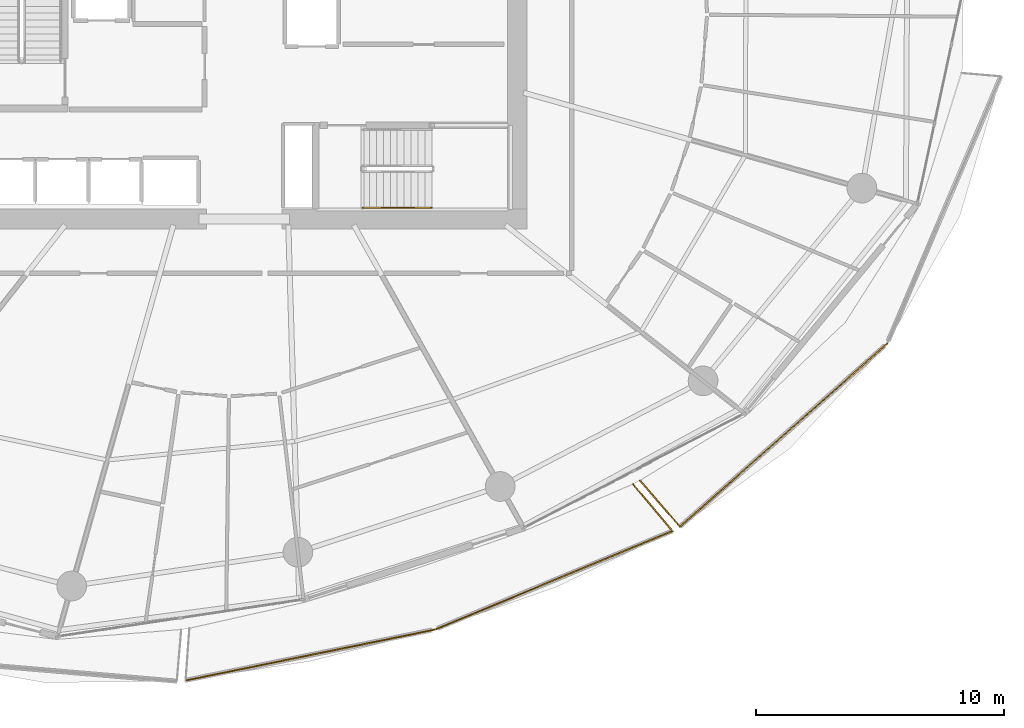
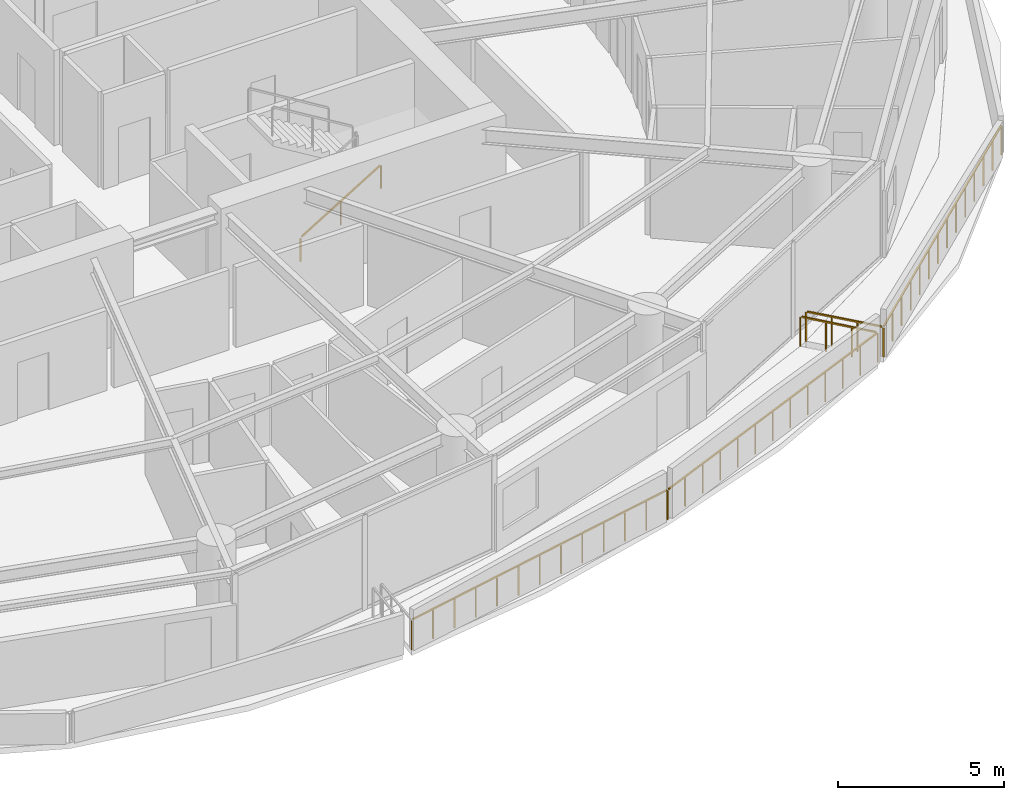
# One storey, part 19 of 23: 6 railings.
"""IFC4 building model written with IfcOpenShell, lengths in metres."""

from ifc_helpers import new_model, si_unit, direction, frame, origin, origin_2d, place, context, subcontext, project, spatial, rectangle, extrude, material, type_object, element, save


model = new_model("IFC4")

# Units and contexts
model_context = context("Model", 3, precision=1e-05, world=origin(), true_north=direction((0.0, 1.0)))
body_context = subcontext(model_context, "Body", "Model", "MODEL_VIEW")
ifc_project = project(units=[si_unit("LENGTHUNIT", "METRE"), si_unit("AREAUNIT", "SQUARE_METRE"), si_unit("VOLUMEUNIT", "CUBIC_METRE"), si_unit("PLANEANGLEUNIT", "RADIAN"), si_unit("MASSUNIT", "GRAM", prefix="KILO")], contexts=[model_context])

# Site, building, storey
site_placement = place(None, origin())
site = spatial("IfcSite", under=ifc_project, at=site_placement, CompositionType="ELEMENT")
building_placement = place(site_placement, origin())
building = spatial("IfcBuilding", under=site, at=building_placement, Name="Kazma Halo Residences", CompositionType="ELEMENT")
storey_placement = place(building_placement, frame((0.0, 0.0, 101.39990234375)))
storey = spatial("IfcBuildingStorey", under=building, at=storey_placement, Name="L25", CompositionType="ELEMENT", Elevation=101.39990234375)

# Railings
ifc_material_1 = material(Name="Aluminium AW-6063 T6 Brushed Cap Rail", Category="aluminium")
railing_type_1 = type_object("IfcRailingType", Name="RLG-BAL-CAP-1120", PredefinedType="BALUSTRADE", material=ifc_material_1)
railing_1_placement = place(storey_placement, frame((46.036865234375, 14.945068359375, 0.0)))
element("IfcRailing", 1, at=railing_1_placement, inside=storey, type_object=railing_type_1, Name="L25 SSE wave balcony guard 2", PredefinedType="BALUSTRADE", context=body_context, shape_type="SweptSolid", body=[
    extrude(rectangle(XDim=0.050048828125, YDim=0.050048828125, at=origin_2d()), frame((0.041748046875, 0.008544921875, 1.09521484375), z_axis=(0.979795712081, 0.200000906465, 0.0), x_axis=(-0.200000906465, 0.979795712081, 0.0)), (0.0, 0.0, 1.0), 10.207763671875),
    extrude(rectangle(XDim=0.0400390625, YDim=0.0400390625, at=origin_2d()), origin(), (0.0, 0.0, 1.0), 1.05810546875),
    extrude(rectangle(XDim=0.0400390625, YDim=0.0400390625, at=origin_2d()), frame((0.84033203125, 0.171630859375, 0.0)), (0.0, 0.0, 1.0), 1.05810546875),
    extrude(rectangle(XDim=0.0400390625, YDim=0.0400390625, at=origin_2d()), frame((1.680908203125, 0.343017578125, 0.0)), (0.0, 0.0, 1.0), 1.05810546875),
    extrude(rectangle(XDim=0.0400390625, YDim=0.0400390625, at=origin_2d()), frame((2.521240234375, 0.5146484375, 0.0)), (0.0, 0.0, 1.0), 1.05810546875),
    extrude(rectangle(XDim=0.0400390625, YDim=0.0400390625, at=origin_2d()), frame((3.361572265625, 0.686279296875, 0.0)), (0.0, 0.0, 1.0), 1.05810546875),
    extrude(rectangle(XDim=0.0400390625, YDim=0.0400390625, at=origin_2d()), frame((4.2021484375, 0.857666015625, 0.0)), (0.0, 0.0, 1.0), 1.05810546875),
    extrude(rectangle(XDim=0.0400390625, YDim=0.0400390625, at=origin_2d()), frame((5.04248046875, 1.029296875, 0.0)), (0.0, 0.0, 1.0), 1.05810546875),
    extrude(rectangle(XDim=0.0400390625, YDim=0.0400390625, at=origin_2d()), frame((5.8828125, 1.200927734375, 0.0)), (0.0, 0.0, 1.0), 1.05810546875),
    extrude(rectangle(XDim=0.0400390625, YDim=0.0400390625, at=origin_2d()), frame((6.723388671875, 1.372314453125, 0.0)), (0.0, 0.0, 1.0), 1.05810546875),
    extrude(rectangle(XDim=0.0400390625, YDim=0.0400390625, at=origin_2d()), frame((7.563720703125, 1.5439453125, 0.0)), (0.0, 0.0, 1.0), 1.05810546875),
    extrude(rectangle(XDim=0.0400390625, YDim=0.0400390625, at=origin_2d()), frame((8.404052734375, 1.715576171875, 0.0)), (0.0, 0.0, 1.0), 1.05810546875),
    extrude(rectangle(XDim=0.0400390625, YDim=0.0400390625, at=origin_2d()), frame((9.24462890625, 1.886962890625, 0.0)), (0.0, 0.0, 1.0), 1.05810546875),
    extrude(rectangle(XDim=0.0400390625, YDim=0.0400390625, at=origin_2d()), frame((10.0849609375, 2.05859375, 0.0)), (0.0, 0.0, 1.0), 1.05810546875),
])
railing_2_placement = place(storey_placement, frame((56.121826171875, 17.003662109375, 0.0)))
element("IfcRailing", 2, at=railing_2_placement, inside=storey, type_object=railing_type_1, Name="L25 SSE wave balcony guard 3", PredefinedType="BALUSTRADE", context=body_context, shape_type="SweptSolid", body=[
    extrude(rectangle(XDim=0.050048828125, YDim=0.050048828125, at=origin_2d()), frame((0.039306640625, 0.016357421875, 1.09521484375), z_axis=(0.923699555825, 0.38311764586, 0.0), x_axis=(-0.38311764586, 0.923699555825, 0.0)), (0.0, 0.0, 1.0), 10.312255859375),
    extrude(rectangle(XDim=0.0400390625, YDim=0.0400390625, at=origin_2d()), origin(), (0.0, 0.0, 1.0), 1.05810546875),
    extrude(rectangle(XDim=0.0400390625, YDim=0.0400390625, at=origin_2d()), frame((0.80029296875, 0.33203125, 0.0)), (0.0, 0.0, 1.0), 1.05810546875),
    extrude(rectangle(XDim=0.0400390625, YDim=0.0400390625, at=origin_2d()), frame((1.6005859375, 0.663818359375, 0.0)), (0.0, 0.0, 1.0), 1.05810546875),
    extrude(rectangle(XDim=0.0400390625, YDim=0.0400390625, at=origin_2d()), frame((2.40087890625, 0.995849609375, 0.0)), (0.0, 0.0, 1.0), 1.05810546875),
    extrude(rectangle(XDim=0.0400390625, YDim=0.0400390625, at=origin_2d()), frame((3.201416015625, 1.327880859375, 0.0)), (0.0, 0.0, 1.0), 1.05810546875),
    extrude(rectangle(XDim=0.0400390625, YDim=0.0400390625, at=origin_2d()), frame((4.001708984375, 1.65966796875, 0.0)), (0.0, 0.0, 1.0), 1.05810546875),
    extrude(rectangle(XDim=0.0400390625, YDim=0.0400390625, at=origin_2d()), frame((4.802001953125, 1.99169921875, 0.0)), (0.0, 0.0, 1.0), 1.05810546875),
    extrude(rectangle(XDim=0.0400390625, YDim=0.0400390625, at=origin_2d()), frame((5.602294921875, 2.32373046875, 0.0)), (0.0, 0.0, 1.0), 1.05810546875),
    extrude(rectangle(XDim=0.0400390625, YDim=0.0400390625, at=origin_2d()), frame((6.402587890625, 2.655517578125, 0.0)), (0.0, 0.0, 1.0), 1.05810546875),
    extrude(rectangle(XDim=0.0400390625, YDim=0.0400390625, at=origin_2d()), frame((7.203125, 2.987548828125, 0.0)), (0.0, 0.0, 1.0), 1.05810546875),
    extrude(rectangle(XDim=0.0400390625, YDim=0.0400390625, at=origin_2d()), frame((8.00341796875, 3.319580078125, 0.0)), (0.0, 0.0, 1.0), 1.05810546875),
    extrude(rectangle(XDim=0.0400390625, YDim=0.0400390625, at=origin_2d()), frame((8.8037109375, 3.6513671875, 0.0)), (0.0, 0.0, 1.0), 1.05810546875),
    extrude(rectangle(XDim=0.0400390625, YDim=0.0400390625, at=origin_2d()), frame((9.60400390625, 3.9833984375, 0.0)), (0.0, 0.0, 1.0), 1.05810546875),
])
railing_3_placement = place(storey_placement, frame((65.725830078125, 20.987060546875, 0.0)))
element("IfcRailing", 3, at=railing_3_placement, inside=storey, type_object=railing_type_1, Name="L25 SSE wave balcony guard 4", PredefinedType="BALUSTRADE", context=body_context, shape_type="SweptSolid", body=[
    extrude(rectangle(XDim=0.050048828125, YDim=0.050048828125, at=origin_2d()), frame((-0.02734375, 0.032470703125, 1.09521484375), z_axis=(-0.644754098317, 0.764390052724, 0.0), x_axis=(-0.764390052724, -0.644754098317, 0.0)), (0.0, 0.0, 1.0), 2.394287109375),
    extrude(rectangle(XDim=0.0400390625, YDim=0.0400390625, at=origin_2d()), origin(), (0.0, 0.0, 1.0), 1.05810546875),
    extrude(rectangle(XDim=0.0400390625, YDim=0.0400390625, at=origin_2d()), frame((-0.532958984375, 0.6318359375, 0.0)), (0.0, 0.0, 1.0), 1.05810546875),
    extrude(rectangle(XDim=0.0400390625, YDim=0.0400390625, at=origin_2d()), frame((-1.065673828125, 1.263427734375, 0.0)), (0.0, 0.0, 1.0), 1.05810546875),
    extrude(rectangle(XDim=0.0400390625, YDim=0.0400390625, at=origin_2d()), frame((-1.5986328125, 1.895263671875, 0.0)), (0.0, 0.0, 1.0), 1.05810546875),
])
railing_4_placement = place(storey_placement, frame((64.40576171875, 23.027099609375, 0.0)))
element("IfcRailing", 4, at=railing_4_placement, inside=storey, type_object=railing_type_1, Name="L25 SE wave balcony guard 1", PredefinedType="BALUSTRADE", context=body_context, shape_type="SweptSolid", body=[
    extrude(rectangle(XDim=0.050048828125, YDim=0.050048828125, at=origin_2d()), frame((0.02783203125, -0.0322265625, 1.09521484375), z_axis=(0.654064839796, -0.756438487481, 0.0), x_axis=(0.756438487481, 0.654064839796, 0.0)), (0.0, 0.0, 1.0), 2.385498046875),
    extrude(rectangle(XDim=0.0400390625, YDim=0.0400390625, at=origin_2d()), origin(), (0.0, 0.0, 1.0), 1.05810546875),
    extrude(rectangle(XDim=0.0400390625, YDim=0.0400390625, at=origin_2d()), frame((0.53857421875, -0.623046875, 0.0)), (0.0, 0.0, 1.0), 1.05810546875),
    extrude(rectangle(XDim=0.0400390625, YDim=0.0400390625, at=origin_2d()), frame((1.077392578125, -1.245849609375, 0.0)), (0.0, 0.0, 1.0), 1.05810546875),
    extrude(rectangle(XDim=0.0400390625, YDim=0.0400390625, at=origin_2d()), frame((1.615966796875, -1.868896484375, 0.0)), (0.0, 0.0, 1.0), 1.05810546875),
])
railing_5_placement = place(storey_placement, frame((66.021728515625, 21.158203125, 0.0)))
element("IfcRailing", 5, at=railing_5_placement, inside=storey, type_object=railing_type_1, Name="L25 SE wave balcony guard 2", PredefinedType="BALUSTRADE", context=body_context, shape_type="SweptSolid", body=[
    extrude(rectangle(XDim=0.050048828125, YDim=0.050048828125, at=origin_2d()), frame((0.031982421875, 0.028076171875, 1.09521484375), z_axis=(0.749632430677, 0.661854378906, 0.0), x_axis=(-0.661854378906, 0.749632430677, 0.0)), (0.0, 0.0, 1.0), 11.084716796875),
    extrude(rectangle(XDim=0.0400390625, YDim=0.0400390625, at=origin_2d()), origin(), (0.0, 0.0, 1.0), 1.05810546875),
    extrude(rectangle(XDim=0.0400390625, YDim=0.0400390625, at=origin_2d()), frame((0.64404296875, 0.568603515625, 0.0)), (0.0, 0.0, 1.0), 1.05810546875),
    extrude(rectangle(XDim=0.0400390625, YDim=0.0400390625, at=origin_2d()), frame((1.2880859375, 1.137451171875, 0.0)), (0.0, 0.0, 1.0), 1.05810546875),
    extrude(rectangle(XDim=0.0400390625, YDim=0.0400390625, at=origin_2d()), frame((1.932373046875, 1.7060546875, 0.0)), (0.0, 0.0, 1.0), 1.05810546875),
    extrude(rectangle(XDim=0.0400390625, YDim=0.0400390625, at=origin_2d()), frame((2.576416015625, 2.274658203125, 0.0)), (0.0, 0.0, 1.0), 1.05810546875),
    extrude(rectangle(XDim=0.0400390625, YDim=0.0400390625, at=origin_2d()), frame((3.220458984375, 2.843505859375, 0.0)), (0.0, 0.0, 1.0), 1.05810546875),
    extrude(rectangle(XDim=0.0400390625, YDim=0.0400390625, at=origin_2d()), frame((3.864501953125, 3.412109375, 0.0)), (0.0, 0.0, 1.0), 1.05810546875),
    extrude(rectangle(XDim=0.0400390625, YDim=0.0400390625, at=origin_2d()), frame((4.5087890625, 3.980712890625, 0.0)), (0.0, 0.0, 1.0), 1.05810546875),
    extrude(rectangle(XDim=0.0400390625, YDim=0.0400390625, at=origin_2d()), frame((5.15283203125, 4.54931640625, 0.0)), (0.0, 0.0, 1.0), 1.05810546875),
    extrude(rectangle(XDim=0.0400390625, YDim=0.0400390625, at=origin_2d()), frame((5.796875, 5.1181640625, 0.0)), (0.0, 0.0, 1.0), 1.05810546875),
    extrude(rectangle(XDim=0.0400390625, YDim=0.0400390625, at=origin_2d()), frame((6.44091796875, 5.686767578125, 0.0)), (0.0, 0.0, 1.0), 1.05810546875),
    extrude(rectangle(XDim=0.0400390625, YDim=0.0400390625, at=origin_2d()), frame((7.085205078125, 6.25537109375, 0.0)), (0.0, 0.0, 1.0), 1.05810546875),
    extrude(rectangle(XDim=0.0400390625, YDim=0.0400390625, at=origin_2d()), frame((7.729248046875, 6.82421875, 0.0)), (0.0, 0.0, 1.0), 1.05810546875),
    extrude(rectangle(XDim=0.0400390625, YDim=0.0400390625, at=origin_2d()), frame((8.373291015625, 7.392822265625, 0.0)), (0.0, 0.0, 1.0), 1.05810546875),
])
ifc_material_2 = material(Name="Brushed Stainless Steel", Category="steel")
railing_type_2 = type_object("IfcRailingType", Name="RLG-STAIR-HND-900", PredefinedType="HANDRAIL", material=ifc_material_2)
railing_6_placement = place(storey_placement, frame((53.199951171875, 34.050048828125, 0.170654296875)))
element("IfcRailing", 6, at=railing_6_placement, inside=storey, type_object=railing_type_2, Name="L25 ST-03 stair handrail 1", PredefinedType="HANDRAIL", context=body_context, shape_type="SweptSolid", body=[
    extrude(rectangle(XDim=0.050048828125, YDim=0.050048828125, at=origin_2d()), frame((0.036376953125, 0.0, 0.89697265625), z_axis=(0.854202870247, 0.0, 0.519939858505), x_axis=(0.0, 1.0, 0.0)), (0.0, 0.0, 1.0), 3.19287109375),
    extrude(rectangle(XDim=0.0400390625, YDim=0.0400390625, at=origin_2d()), origin(), (0.0, 0.0, 1.0), 0.837890625),
    extrude(rectangle(XDim=0.0400390625, YDim=0.0400390625, at=origin_2d()), frame((1.39990234375, 0.0, 0.85205078125)), (0.0, 0.0, 1.0), 0.837890625),
    extrude(rectangle(XDim=0.0400390625, YDim=0.0400390625, at=origin_2d()), frame((2.800048828125, 0.0, 1.704345703125)), (0.0, 0.0, 1.0), 0.837890625),
])

save(model, "model.ifc")
